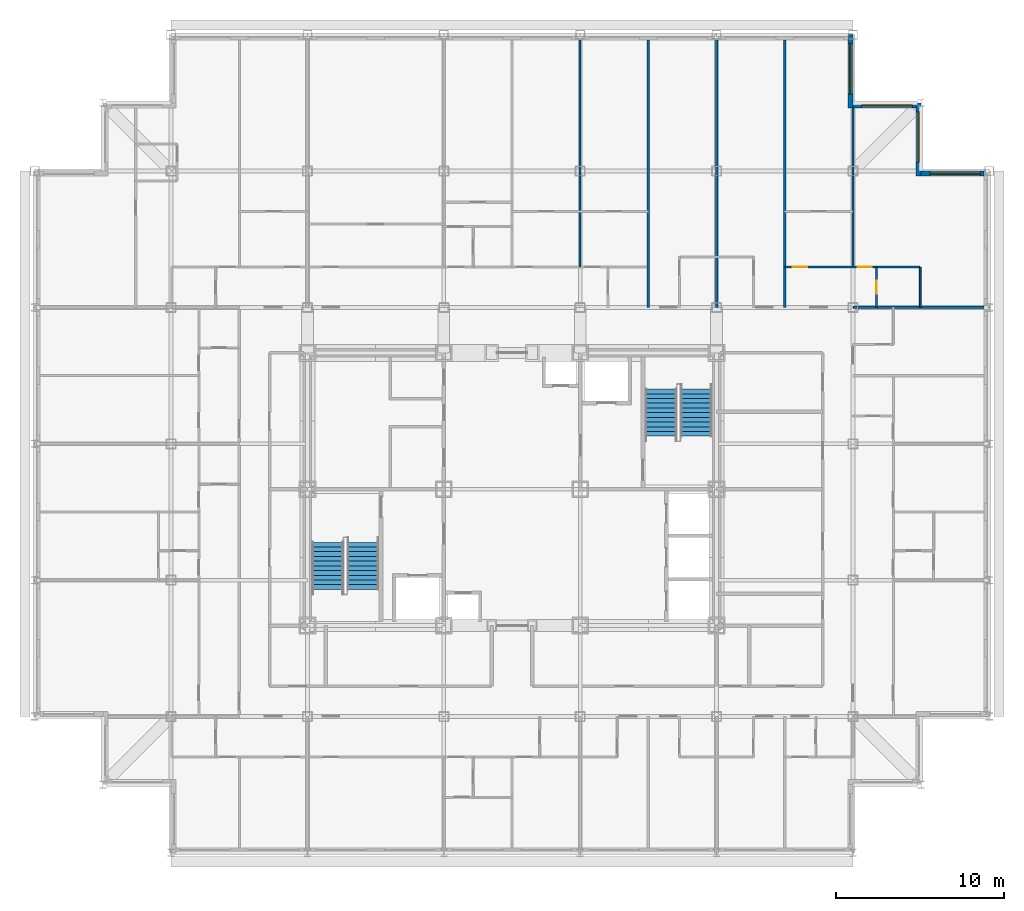
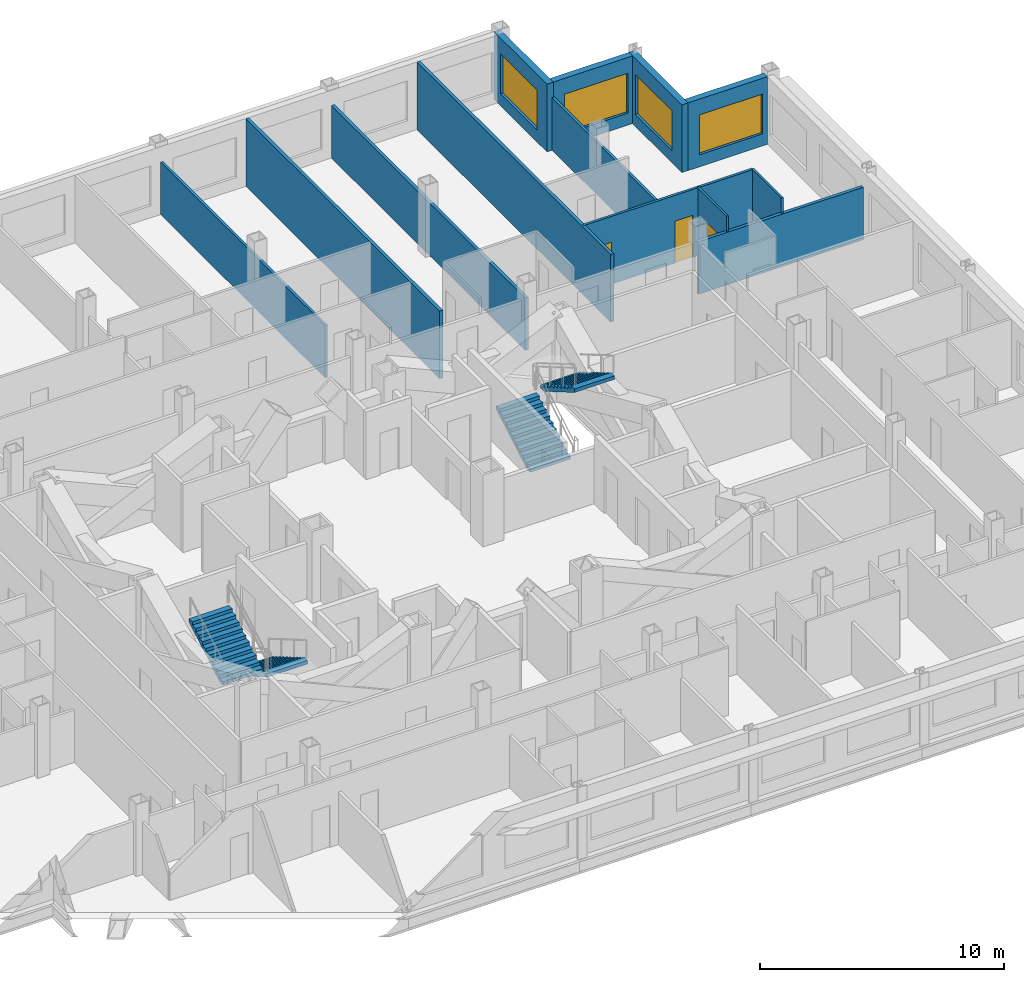
# One storey, part 11 of 12: 13 walls, 4 stair flights, 4 windows, 3 doors, 7 openings, 2 elements without a shape of their own.
"""IFC4 building model written with IfcOpenShell, lengths in metres."""

from ifc_helpers import new_model, si_unit, direction, frame, frame_2d, origin, place, context, subcontext, project, spatial, rectangle, extrude, polygons, source, transform, mapped, material, layer, layer_set, type_object, element, fill, aggregate, save


model = new_model("IFC4")

# Units and contexts
model_context = context("Model", 3, precision=1e-05, world=origin(), true_north=direction((0.0, 1.0)))
body_context = subcontext(model_context, "Body", "Model", "MODEL_VIEW")
ifc_project = project(units=[si_unit("LENGTHUNIT", "METRE"), si_unit("AREAUNIT", "SQUARE_METRE"), si_unit("VOLUMEUNIT", "CUBIC_METRE"), si_unit("PLANEANGLEUNIT", "RADIAN"), si_unit("MASSUNIT", "GRAM", prefix="KILO")], contexts=[model_context])

# Site, building, storey
site_placement = place(None, origin())
site = spatial("IfcSite", under=ifc_project, at=site_placement, CompositionType="ELEMENT")
building_placement = place(site_placement, origin())
building = spatial("IfcBuilding", under=site, at=building_placement, Name="Kopane Lantern Tower", CompositionType="ELEMENT")
storey_placement = place(building_placement, frame((0.0, 0.0, 220.800048828125)))
storey = spatial("IfcBuildingStorey", under=building, at=storey_placement, Name="L57", CompositionType="ELEMENT", Elevation=220.800048828125)

# Wall
ifc_material_1 = material(Name="Gypsum board on steel studs", Category="steel")
ifc_layer_1 = layer(ifc_material_1, 0.1201171875)
ifc_layer_set_1 = layer_set([ifc_layer_1], Name="APARTMENT INTERNAL WALL 120")
wall_type_1 = type_object("IfcWallType", Name="APARTMENT INTERNAL WALL 120", PredefinedType="PARTITIONING", material=ifc_layer_set_1)
wall_1_placement = place(storey_placement, frame((32.39990234375, 45.60009765625, 0.0), z_axis=(0.0, 0.0, 1.0), x_axis=(0.0, 1.0, 0.0)))
element("IfcWall", 1, at=wall_1_placement, inside=storey, type_object=wall_type_1, Name="Apartment Internal Wall 120 L57", PredefinedType="PARTITIONING", context=body_context, shape_type="SweptSolid", body=[
    extrude(rectangle(XDim=13.5, YDim=0.1201171875, at=frame_2d((6.75, 0.0))), origin(), (0.0, 0.0, 1.0), 2.627685546875),
])

# Wall, openings, doors
wall_2_placement = place(storey_placement, frame((44.550048828125, 45.60009765625, 0.0), z_axis=(0.0, 0.0, 1.0), x_axis=(1.0, 0.0, 0.0)))
wall_2 = element("IfcWall", 2, at=wall_2_placement, inside=storey, type_object=wall_type_1, Name="Apartment Internal Wall 120 L57", PredefinedType="PARTITIONING", context=body_context, shape_type="SweptSolid", body=[
    extrude(rectangle(XDim=8.050048828125, YDim=0.1201171875, at=frame_2d((4.02490234375, 0.0))), origin(), (0.0, 0.0, 1.0), 3.389892578125),
])
opening_1_placement = place(wall_2_placement, frame((0.47509765625, 0.0, 0.0)))
opening_1 = element("IfcOpeningElement", 3, at=opening_1_placement, cuts=wall_2, Name="Opening L57-062", PredefinedType="OPENING", context=body_context, shape_type="SweptSolid", body=[
    extrude(rectangle(XDim=0.85009765625, YDim=2.10009765625, at=frame_2d((0.425048828125, 1.050048828125))), frame((0.0, 0.070068359375, 0.0), z_axis=(0.0, -1.0, 0.0), x_axis=(1.0, 0.0, 0.0)), (0.0, 0.0, 1.0), 0.14013671875),
])
opening_2_placement = place(wall_2_placement, frame((4.324951171875, 0.0, 0.0)))
opening_2 = element("IfcOpeningElement", 4, at=opening_2_placement, cuts=wall_2, Name="Opening L57-064", PredefinedType="OPENING", context=body_context, shape_type="SweptSolid", body=[
    extrude(rectangle(XDim=0.85009765625, YDim=2.10009765625, at=frame_2d((0.425048828125, 1.050048828125))), frame((0.0, 0.070068359375, 0.0), z_axis=(0.0, -1.0, 0.0), x_axis=(1.0, 0.0, 0.0)), (0.0, 0.0, 1.0), 0.14013671875),
])
ifc_material_2 = material(Name="Timber door set", Category="wood")
door_type_1 = type_object("IfcDoorType", Name="DOOR D4 850x2100", OperationType="SINGLE_SWING_LEFT", PredefinedType="DOOR", material=ifc_material_2)
door_1_placement = place(opening_1_placement, origin())
door_1 = element("IfcDoor", 5, at=door_1_placement, inside=storey, type_object=door_type_1, Name="Door L57-062", OperationType="SINGLE_SWING_RIGHT", OverallHeight=2.10009765625, OverallWidth=0.85009765625, PredefinedType="DOOR", context=body_context, shape_type="SweptSolid", body=[
    extrude(rectangle(XDim=0.85009765625, YDim=2.10009765625, at=frame_2d((0.425048828125, 1.050048828125))), frame((0.0, 0.02490234375, 0.0), z_axis=(0.0, -1.0, 0.0), x_axis=(1.0, 0.0, 0.0)), (0.0, 0.0, 1.0), 0.050048828125),
])
fill(opening_1, door_1)
door_2_placement = place(opening_2_placement, origin())
door_2 = element("IfcDoor", 6, at=door_2_placement, inside=storey, type_object=door_type_1, Name="Door L57-064", OperationType="SINGLE_SWING_LEFT", OverallHeight=2.10009765625, OverallWidth=0.85009765625, PredefinedType="DOOR", context=body_context, shape_type="SweptSolid", body=[
    extrude(rectangle(XDim=0.85009765625, YDim=2.10009765625, at=frame_2d((0.425048828125, 1.050048828125))), frame((0.0, 0.02490234375, 0.0), z_axis=(0.0, -1.0, 0.0), x_axis=(1.0, 0.0, 0.0)), (0.0, 0.0, 1.0), 0.050048828125),
])
fill(opening_2, door_2)

# Wall
wall_3_placement = place(storey_placement, frame((48.60009765625, 45.60009765625, 0.0), z_axis=(0.0, 0.0, 1.0), x_axis=(0.0, 1.0, 0.0)))
element("IfcWall", 7, at=wall_3_placement, inside=storey, type_object=wall_type_1, Name="Apartment Internal Wall 120 L57", PredefinedType="PARTITIONING", context=body_context, shape_type="SweptSolid", body=[
    extrude(rectangle(XDim=9.449951171875, YDim=0.1201171875, at=frame_2d((4.72509765625, 0.0))), origin(), (0.0, 0.0, 1.0), 2.627685546875),
])

# Wall, opening, door
ifc_material_3 = material(Name="Moisture-resistant board on steel studs", Category="steel")
ifc_layer_2 = layer(ifc_material_3, 0.10009765625)
ifc_layer_set_2 = layer_set([ifc_layer_2], Name="BATHROOM WALL 100")
wall_type_2 = type_object("IfcWallType", Name="BATHROOM WALL 100", PredefinedType="PARTITIONING", material=ifc_layer_set_2)
wall_4_placement = place(storey_placement, frame((50.0, 43.199951171875, 0.0), z_axis=(0.0, 0.0, 1.0), x_axis=(0.0, 1.0, 0.0)))
wall_4 = element("IfcWall", 8, at=wall_4_placement, inside=storey, type_object=wall_type_2, Name="Bathroom Wall 100 L57", PredefinedType="PARTITIONING", context=body_context, shape_type="SweptSolid", body=[
    extrude(rectangle(XDim=2.400146484375, YDim=0.10009765625, at=frame_2d((1.2001953125, 0.0))), origin(), (0.0, 0.0, 1.0), 3.389892578125),
])
opening_3_placement = place(wall_4_placement, frame((0.800048828125, 0.0, 0.0)))
opening_3 = element("IfcOpeningElement", 9, at=opening_3_placement, cuts=wall_4, Name="Opening L57-063", PredefinedType="OPENING", context=body_context, shape_type="SweptSolid", body=[
    extrude(rectangle(XDim=0.800048828125, YDim=2.10009765625, at=frame_2d((0.39990234375, 1.050048828125))), frame((0.0, 0.06005859375, 0.0), z_axis=(0.0, -1.0, 0.0), x_axis=(1.0, 0.0, 0.0)), (0.0, 0.0, 1.0), 0.1201171875),
])
ifc_material_4 = material(Name="Timber door set", Category="wood")
door_type_2 = type_object("IfcDoorType", Name="DOOR D2 800x2100", OperationType="SINGLE_SWING_LEFT", PredefinedType="DOOR", material=ifc_material_4)
door_3_placement = place(opening_3_placement, origin())
door_3 = element("IfcDoor", 10, at=door_3_placement, inside=storey, type_object=door_type_2, Name="Door L57-063", OperationType="SINGLE_SWING_RIGHT", OverallHeight=2.10009765625, OverallWidth=0.800048828125, PredefinedType="DOOR", context=body_context, shape_type="SweptSolid", body=[
    extrude(rectangle(XDim=0.800048828125, YDim=2.10009765625, at=frame_2d((0.39990234375, 1.050048828125))), frame((0.0, 0.02490234375, 0.0), z_axis=(0.0, -1.0, 0.0), x_axis=(1.0, 0.0, 0.0)), (0.0, 0.0, 1.0), 0.050048828125),
])
fill(opening_3, door_3)

# Walls
wall_5_placement = place(storey_placement, frame((52.60009765625, 43.199951171875, 0.0), z_axis=(0.0, 0.0, 1.0), x_axis=(0.0, 1.0, 0.0)))
element("IfcWall", 11, at=wall_5_placement, inside=storey, type_object=wall_type_2, Name="Bathroom Wall 100 L57", PredefinedType="PARTITIONING", context=body_context, shape_type="SweptSolid", body=[
    extrude(rectangle(XDim=2.400146484375, YDim=0.10009765625, at=frame_2d((1.2001953125, 0.0))), origin(), (0.0, 0.0, 1.0), 3.389892578125),
])
ifc_material_5 = material(Name="Gypsum board on steel studs", Category="steel")
ifc_layer_3 = layer(ifc_material_5, 0.14990234375)
ifc_layer_set_3 = layer_set([ifc_layer_3], Name="DEMISING WALL 150 EI 60")
wall_type_3 = type_object("IfcWallType", Name="DEMISING WALL 150 EI 60", PredefinedType="PARTITIONING", material=ifc_layer_set_3)
wall_6_placement = place(storey_placement, frame((36.449951171875, 43.199951171875, 0.0), z_axis=(0.0, 0.0, 1.0), x_axis=(0.0, 1.0, 0.0)))
element("IfcWall", 12, at=wall_6_placement, inside=storey, type_object=wall_type_3, Name="Demising Wall 150 Ei 60 L57", PredefinedType="PARTITIONING", context=body_context, shape_type="SweptSolid", body=[
    extrude(rectangle(XDim=15.900146484375, YDim=0.14990234375, at=frame_2d((7.9501953125, 0.0))), origin(), (0.0, 0.0, 1.0), 3.389892578125),
])
wall_7_placement = place(storey_placement, frame((40.5, 43.199951171875, 0.0), z_axis=(0.0, 0.0, 1.0), x_axis=(0.0, 1.0, 0.0)))
element("IfcWall", 13, at=wall_7_placement, inside=storey, type_object=wall_type_3, Name="Demising Wall 150 Ei 60 L57", PredefinedType="PARTITIONING", context=body_context, shape_type="SweptSolid", body=[
    extrude(rectangle(XDim=15.900146484375, YDim=0.14990234375, at=frame_2d((7.9501953125, 0.0))), origin(), (0.0, 0.0, 1.0), 2.627685546875),
])
wall_8_placement = place(storey_placement, frame((48.60009765625, 43.199951171875, 0.0), z_axis=(0.0, 0.0, 1.0), x_axis=(1.0, 0.0, 0.0)))
element("IfcWall", 14, at=wall_8_placement, inside=storey, type_object=wall_type_3, Name="Demising Wall 150 Ei 60 L57", PredefinedType="PARTITIONING", context=body_context, shape_type="SweptSolid", body=[
    extrude(rectangle(XDim=7.7998046875, YDim=0.14990234375, at=frame_2d((3.89990234375, 0.0))), origin(), (0.0, 0.0, 1.0), 2.627685546875),
])
wall_9_placement = place(storey_placement, frame((44.550048828125, 43.199951171875, 0.0), z_axis=(0.0, 0.0, 1.0), x_axis=(0.0, 1.0, 0.0)))
element("IfcWall", 15, at=wall_9_placement, inside=storey, type_object=wall_type_3, Name="Demising Wall 150 Ei 60 L57", PredefinedType="PARTITIONING", context=body_context, shape_type="SweptSolid", body=[
    extrude(rectangle(XDim=15.900146484375, YDim=0.14990234375, at=frame_2d((7.9501953125, 0.0))), origin(), (0.0, 0.0, 1.0), 3.389892578125),
])

# Wall, opening, window
ifc_material_6 = material(Name="Terracotta rainscreen on light steel framing", Category="masonry")
ifc_layer_4 = layer(ifc_material_6, 0.300048828125)
ifc_layer_set_4 = layer_set([ifc_layer_4], Name="EXTERNAL WALL EW1 300 TERRACOTTA")
wall_type_4 = type_object("IfcWallType", Name="EXTERNAL WALL EW1 300 TERRACOTTA", PredefinedType="SOLIDWALL", material=ifc_layer_set_4)
wall_10_placement = place(storey_placement, frame((56.39990234375, 51.14990234375, 0.0), z_axis=(0.0, 0.0, 1.0), x_axis=(-1.0, 0.0, 0.0)))
wall_10 = element("IfcWall", 16, at=wall_10_placement, inside=storey, type_object=wall_type_4, Name="External wall N L57", PredefinedType="SOLIDWALL", context=body_context, shape_type="SweptSolid", body=[
    extrude(rectangle(XDim=3.75, YDim=0.300048828125, at=frame_2d((1.875, 0.0))), origin(), (0.0, 0.0, 1.0), 3.389892578125),
])
opening_4_placement = place(wall_10_placement, frame((0.22509765625, 0.0, 0.60009765625)))
opening_4 = element("IfcOpeningElement", 17, at=opening_4_placement, cuts=wall_10, Name="Opening WR300200", PredefinedType="OPENING", context=body_context, shape_type="SweptSolid", body=[
    extrude(rectangle(XDim=3.0, YDim=2.0, at=frame_2d((1.5, 1.0))), frame((0.0, 0.159912109375, 0.0), z_axis=(0.0, -1.0, 0.0), x_axis=(1.0, 0.0, 0.0)), (0.0, 0.0, 1.0), 0.320068359375),
])
ifc_material_7 = material(Name="Aluminium and clear glass", Category="aluminium")
window_type = type_object("IfcWindowType", Name="RIBBON WINDOW WR300200 3000x2000", PartitioningType="SINGLE_PANEL", PredefinedType="WINDOW", material=ifc_material_7)
window_1_placement = place(opening_4_placement, origin())
window_1 = element("IfcWindow", 18, at=window_1_placement, inside=storey, type_object=window_type, Name="Window N L57", OverallHeight=2.0, OverallWidth=3.0, PartitioningType="SINGLE_PANEL", PredefinedType="WINDOW", context=body_context, shape_type="SweptSolid", body=[
    extrude(rectangle(XDim=3.0, YDim=2.0, at=frame_2d((1.5, 1.0))), frame((0.0, 0.030029296875, 0.0), z_axis=(0.0, -1.0, 0.0), x_axis=(1.0, 0.0, 0.0)), (0.0, 0.0, 1.0), 0.06005859375),
])
fill(opening_4, window_1)

wall_11_placement = place(storey_placement, frame((52.5, 51.0, 0.0), z_axis=(0.0, 0.0, 1.0), x_axis=(0.0, 1.0, 0.0)))
wall_11 = element("IfcWall", 19, at=wall_11_placement, inside=storey, type_object=wall_type_4, Name="External wall E L57", PredefinedType="SOLIDWALL", context=body_context, shape_type="SweptSolid", body=[
    extrude(rectangle(XDim=4.35009765625, YDim=0.300048828125, at=frame_2d((2.175048828125, 0.0))), origin(), (0.0, 0.0, 1.0), 3.389892578125),
])
opening_5_placement = place(wall_11_placement, frame((0.824951171875, 0.0, 0.60009765625)))
opening_5 = element("IfcOpeningElement", 20, at=opening_5_placement, cuts=wall_11, Name="Opening WR300200", PredefinedType="OPENING", context=body_context, shape_type="SweptSolid", body=[
    extrude(rectangle(XDim=3.0, YDim=2.0, at=frame_2d((1.5, 1.0))), frame((0.0, 0.159912109375, 0.0), z_axis=(0.0, -1.0, 0.0), x_axis=(1.0, 0.0, 0.0)), (0.0, 0.0, 1.0), 0.320068359375),
])
window_2_placement = place(opening_5_placement, origin())
window_2 = element("IfcWindow", 21, at=window_2_placement, inside=storey, type_object=window_type, Name="Window E L57", OverallHeight=2.0, OverallWidth=3.0, PartitioningType="SINGLE_PANEL", PredefinedType="WINDOW", context=body_context, shape_type="SweptSolid", body=[
    extrude(rectangle(XDim=3.0, YDim=2.0, at=frame_2d((1.5, 1.0))), frame((0.0, 0.030029296875, 0.0), z_axis=(0.0, -1.0, 0.0), x_axis=(1.0, 0.0, 0.0)), (0.0, 0.0, 1.0), 0.06005859375),
])
fill(opening_5, window_2)

wall_12_placement = place(storey_placement, frame((52.35009765625, 55.199951171875, 0.0), z_axis=(0.0, 0.0, 1.0), x_axis=(-1.0, 0.0, 0.0)))
wall_12 = element("IfcWall", 22, at=wall_12_placement, inside=storey, type_object=wall_type_4, Name="External wall N L57", PredefinedType="SOLIDWALL", context=body_context, shape_type="SweptSolid", body=[
    extrude(rectangle(XDim=3.75, YDim=0.300048828125, at=frame_2d((1.875, 0.0))), origin(), (0.0, 0.0, 1.0), 3.389892578125),
])
opening_6_placement = place(wall_12_placement, frame((0.22509765625, 0.0, 0.60009765625)))
opening_6 = element("IfcOpeningElement", 23, at=opening_6_placement, cuts=wall_12, Name="Opening WR300200", PredefinedType="OPENING", context=body_context, shape_type="SweptSolid", body=[
    extrude(rectangle(XDim=3.0, YDim=2.0, at=frame_2d((1.5, 1.0))), frame((0.0, 0.159912109375, 0.0), z_axis=(0.0, -1.0, 0.0), x_axis=(1.0, 0.0, 0.0)), (0.0, 0.0, 1.0), 0.320068359375),
])
window_3_placement = place(opening_6_placement, origin())
window_3 = element("IfcWindow", 24, at=window_3_placement, inside=storey, type_object=window_type, Name="Window N L57", OverallHeight=2.0, OverallWidth=3.0, PartitioningType="SINGLE_PANEL", PredefinedType="WINDOW", context=body_context, shape_type="SweptSolid", body=[
    extrude(rectangle(XDim=3.0, YDim=2.0, at=frame_2d((1.5, 1.0))), frame((0.0, 0.030029296875, 0.0), z_axis=(0.0, -1.0, 0.0), x_axis=(1.0, 0.0, 0.0)), (0.0, 0.0, 1.0), 0.06005859375),
])
fill(opening_6, window_3)

wall_13_placement = place(storey_placement, frame((48.449951171875, 55.050048828125, 0.0), z_axis=(0.0, 0.0, 1.0), x_axis=(0.0, 1.0, 0.0)))
wall_13 = element("IfcWall", 25, at=wall_13_placement, inside=storey, type_object=wall_type_4, Name="External wall E L57", PredefinedType="SOLIDWALL", context=body_context, shape_type="SweptSolid", body=[
    extrude(rectangle(XDim=4.349853515625, YDim=0.300048828125, at=frame_2d((2.1748046875, 0.0))), origin(), (0.0, 0.0, 1.0), 3.389892578125),
])
opening_7_placement = place(wall_13_placement, frame((0.824951171875, 0.0, 0.60009765625)))
opening_7 = element("IfcOpeningElement", 26, at=opening_7_placement, cuts=wall_13, Name="Opening WR300200", PredefinedType="OPENING", context=body_context, shape_type="SweptSolid", body=[
    extrude(rectangle(XDim=3.0, YDim=2.0, at=frame_2d((1.5, 1.0))), frame((0.0, 0.159912109375, 0.0), z_axis=(0.0, -1.0, 0.0), x_axis=(1.0, 0.0, 0.0)), (0.0, 0.0, 1.0), 0.320068359375),
])
window_4_placement = place(opening_7_placement, origin())
window_4 = element("IfcWindow", 27, at=window_4_placement, inside=storey, type_object=window_type, Name="Window E L57", OverallHeight=2.0, OverallWidth=3.0, PartitioningType="SINGLE_PANEL", PredefinedType="WINDOW", context=body_context, shape_type="SweptSolid", body=[
    extrude(rectangle(XDim=3.0, YDim=2.0, at=frame_2d((1.5, 1.0))), frame((0.0, 0.030029296875, 0.0), z_axis=(0.0, -1.0, 0.0), x_axis=(1.0, 0.0, 0.0)), (0.0, 0.0, 1.0), 0.06005859375),
])
fill(opening_7, window_4)

# Stair, stair flights
ifc_material_8 = material(Name="Steel S355JR", Category="steel")
stair_type = type_object("IfcStairType", Name="EXIT STAIR 1900 HALF TURN", PredefinedType="HALF_TURN_STAIR", material=ifc_material_8)
stair_1_placement = place(storey_placement, origin())
stair_1 = element("IfcStair", 28, at=stair_1_placement, inside=storey, type_object=stair_type, Name="Exit stair ST1 L57", PredefinedType="HALF_TURN_STAIR")
ifc_material_9 = material(Name="Steel S355JR", Category="steel")
stair_flight_type = type_object("IfcStairFlightType", Name="STAIR FLIGHT 1900 STEEL", PredefinedType="STRAIGHT", material=ifc_material_9)
shared_shape = source(origin(), body_context, "Body", "Tessellation", [
    polygons([(2.800048828, 0.949951172, 1.636474609), (2.520019531, 0.949951172, 1.636474609), (2.520019531, -0.949951172, 1.636474609), (2.800048828, -0.949951172, 1.636474609), (0.297119141, 0.949951172, 0.0), (2.800048828, 0.949951172, 1.462646484), (2.800048828, -0.949951172, 1.462646484), (0.297119141, -0.949951172, 0.0), (0.0, 0.949951172, 0.0), (0.0, -0.949951172, 0.0), (0.280029297, 0.949951172, 0.163574219), (0.0, 0.949951172, 0.163574219), (0.0, -0.949951172, 0.163574219), (0.280029297, -0.949951172, 0.163574219), (0.280029297, 0.949951172, 0.327392578), (0.280029297, -0.949951172, 0.327392578), (0.560058594, 0.949951172, 0.327392578), (0.560058594, -0.949951172, 0.327392578), (0.560058594, 0.949951172, 0.490966797), (0.560058594, -0.949951172, 0.490966797), (0.840087891, 0.949951172, 0.490966797), (0.840087891, -0.949951172, 0.490966797), (0.840087891, 0.949951172, 0.654541016), (0.840087891, -0.949951172, 0.654541016), (1.120117188, 0.949951172, 0.654541016), (1.120117188, -0.949951172, 0.654541016), (1.120117188, 0.949951172, 0.818115234), (1.120117188, -0.949951172, 0.818115234), (1.399902344, 0.949951172, 0.818115234), (1.399902344, -0.949951172, 0.818115234), (1.399902344, 0.949951172, 0.981933594), (1.399902344, -0.949951172, 0.981933594), (1.679931641, 0.949951172, 0.981933594), (1.679931641, -0.949951172, 0.981933594), (1.679931641, 0.949951172, 1.145507812), (1.679931641, -0.949951172, 1.145507812), (1.959960938, 0.949951172, 1.145507812), (1.959960938, -0.949951172, 1.145507812), (1.959960938, 0.949951172, 1.309082031), (1.959960938, -0.949951172, 1.309082031), (2.239990234, 0.949951172, 1.309082031), (2.239990234, -0.949951172, 1.309082031), (2.239990234, 0.949951172, 1.47265625), (2.239990234, -0.949951172, 1.47265625), (2.520019531, 0.949951172, 1.47265625), (2.520019531, -0.949951172, 1.47265625), (0.0, 0.0, 0.004420925), (0.0, 0.0, 0.00884185), (0.0, 0.0, 0.013262774), (0.0, 0.0, 0.017683699), (0.0, 0.0, 0.022104624), (0.0, 0.0, 0.026525549), (0.0, 0.0, 0.030946474), (0.0, 0.0, 0.035367399), (0.0, 0.0, 0.039788323), (0.0, 0.0, 0.044209248), (0.0, 0.0, 0.048630173), (0.0, 0.0, 0.053051098), (0.0, 0.0, 0.057472023), (0.0, 0.0, 0.061892948), (0.0, 0.0, 0.066313872), (0.0, 0.0, 0.070734797), (0.0, 0.0, 0.075155722), (0.0, 0.0, 0.079576647), (0.0, 0.0, 0.083997572), (0.0, 0.0, 0.088418497), (0.0, 0.0, 0.092839421), (0.0, 0.0, 0.097260346), (0.0, 0.0, 0.101681271), (0.0, 0.0, 0.106102196), (0.0, 0.0, 0.110523121), (0.0, 0.0, 0.114944046), (0.0, 0.0, 0.11936497), (0.0, 0.0, 0.123785895), (0.0, 0.0, 0.12820682), (0.0, 0.0, 0.132627745), (0.0, 0.0, 0.13704867), (0.0, 0.0, 0.141469595), (0.0, 0.0, 0.145890519), (0.0, 0.0, 0.150311444), (0.0, 0.0, 0.154732369), (0.0, 0.0, 0.159153294), (2.800048828, 0.0, 1.467344542), (2.800048828, 0.0, 1.472042599), (2.800048828, 0.0, 1.476740657), (2.800048828, 0.0, 1.481438714), (2.800048828, 0.0, 1.486136772), (2.800048828, 0.0, 1.490834829), (2.800048828, 0.0, 1.495532886), (2.800048828, 0.0, 1.500230944), (2.800048828, 0.0, 1.504929001), (2.800048828, 0.0, 1.509627059), (2.800048828, 0.0, 1.514325116), (2.800048828, 0.0, 1.519023174), (2.800048828, 0.0, 1.523721231), (2.800048828, 0.0, 1.528419288), (2.800048828, 0.0, 1.533117346), (2.800048828, 0.0, 1.537815403), (2.800048828, 0.0, 1.542513461), (2.800048828, 0.0, 1.547211518), (2.800048828, 0.0, 1.551909576), (2.800048828, 0.0, 1.556607633), (2.800048828, 0.0, 1.56130569), (2.800048828, 0.0, 1.566003748), (2.800048828, 0.0, 1.570701805), (2.800048828, 0.0, 1.575399863), (2.800048828, 0.0, 1.58009792), (2.800048828, 0.0, 1.584795978), (2.800048828, 0.0, 1.589494035), (2.800048828, 0.0, 1.594192092), (2.800048828, 0.0, 1.59889015), (2.800048828, 0.0, 1.603588207), (2.800048828, 0.0, 1.608286265), (2.800048828, 0.0, 1.612984322), (2.800048828, 0.0, 1.61768238), (2.800048828, 0.0, 1.622380437), (2.800048828, 0.0, 1.627078495), (2.800048828, 0.0, 1.631776552)], [[[1, 2, 3]], [[1, 3, 4]], [[5, 6, 7]], [[5, 7, 8]], [[9, 5, 8]], [[9, 8, 10]], [[11, 12, 13]], [[11, 13, 14]], [[15, 11, 14]], [[15, 14, 16]], [[17, 15, 16]], [[17, 16, 18]], [[19, 17, 18]], [[19, 18, 20]], [[21, 19, 20]], [[21, 20, 22]], [[23, 21, 22]], [[23, 22, 24]], [[25, 23, 24]], [[25, 24, 26]], [[27, 25, 26]], [[27, 26, 28]], [[29, 27, 28]], [[29, 28, 30]], [[31, 29, 30]], [[31, 30, 32]], [[33, 31, 32]], [[33, 32, 34]], [[35, 33, 34]], [[35, 34, 36]], [[37, 35, 36]], [[37, 36, 38]], [[39, 37, 38]], [[39, 38, 40]], [[41, 39, 40]], [[41, 40, 42]], [[43, 41, 42]], [[43, 42, 44]], [[45, 43, 44]], [[45, 44, 46]], [[2, 45, 46]], [[2, 46, 3]], [[45, 1, 6]], [[41, 45, 6]], [[2, 1, 45]], [[37, 41, 6]], [[43, 45, 41]], [[39, 41, 37]], [[35, 37, 33]], [[31, 33, 29]], [[27, 29, 25]], [[5, 21, 25]], [[17, 21, 5]], [[23, 25, 21]], [[11, 17, 5]], [[19, 21, 17]], [[9, 11, 5]], [[15, 17, 11]], [[12, 11, 9]], [[6, 5, 25]], [[6, 25, 29]], [[6, 29, 33]], [[6, 33, 37]], [[7, 4, 46]], [[7, 46, 42]], [[46, 4, 3]], [[7, 42, 38]], [[42, 46, 44]], [[38, 42, 40]], [[34, 38, 36]], [[30, 34, 32]], [[26, 30, 28]], [[26, 22, 8]], [[8, 22, 18]], [[22, 26, 24]], [[8, 18, 14]], [[18, 22, 20]], [[8, 14, 10]], [[14, 18, 16]], [[10, 14, 13]], [[26, 8, 7]], [[30, 26, 7]], [[34, 30, 7]], [[38, 34, 7]], [[10, 47, 9]], [[10, 48, 47]], [[9, 47, 48]], [[10, 49, 48]], [[9, 48, 49]], [[10, 50, 49]], [[9, 49, 50]], [[10, 51, 50]], [[9, 50, 51]], [[10, 52, 51]], [[9, 51, 52]], [[10, 53, 52]], [[9, 52, 53]], [[10, 54, 53]], [[9, 53, 54]], [[10, 55, 54]], [[9, 54, 55]], [[10, 56, 55]], [[9, 55, 56]], [[10, 57, 56]], [[9, 56, 57]], [[10, 58, 57]], [[9, 57, 58]], [[10, 59, 58]], [[9, 58, 59]], [[10, 60, 59]], [[9, 59, 60]], [[10, 61, 60]], [[9, 60, 61]], [[10, 62, 61]], [[9, 61, 62]], [[10, 63, 62]], [[9, 62, 63]], [[10, 64, 63]], [[9, 63, 64]], [[10, 65, 64]], [[9, 64, 65]], [[10, 66, 65]], [[9, 65, 66]], [[10, 67, 66]], [[9, 66, 67]], [[10, 68, 67]], [[9, 67, 68]], [[10, 69, 68]], [[9, 68, 69]], [[10, 70, 69]], [[9, 69, 70]], [[10, 71, 70]], [[9, 70, 71]], [[10, 72, 71]], [[9, 71, 72]], [[10, 73, 72]], [[9, 72, 73]], [[10, 74, 73]], [[9, 73, 74]], [[10, 75, 74]], [[9, 74, 75]], [[10, 76, 75]], [[9, 75, 76]], [[10, 77, 76]], [[9, 76, 77]], [[10, 78, 77]], [[9, 77, 78]], [[10, 79, 78]], [[9, 78, 79]], [[10, 80, 79]], [[9, 79, 80]], [[10, 81, 80]], [[9, 80, 81]], [[10, 82, 81]], [[9, 81, 82]], [[10, 13, 82]], [[82, 13, 12]], [[9, 82, 12]], [[7, 6, 83]], [[7, 83, 84]], [[6, 84, 83]], [[7, 84, 85]], [[6, 85, 84]], [[7, 85, 86]], [[6, 86, 85]], [[7, 86, 87]], [[6, 87, 86]], [[7, 87, 88]], [[6, 88, 87]], [[7, 88, 89]], [[6, 89, 88]], [[7, 89, 90]], [[6, 90, 89]], [[7, 90, 91]], [[6, 91, 90]], [[7, 91, 92]], [[6, 92, 91]], [[7, 92, 93]], [[6, 93, 92]], [[7, 93, 94]], [[6, 94, 93]], [[7, 94, 95]], [[6, 95, 94]], [[7, 95, 96]], [[6, 96, 95]], [[7, 96, 97]], [[6, 97, 96]], [[7, 97, 98]], [[6, 98, 97]], [[7, 98, 99]], [[6, 99, 98]], [[7, 99, 100]], [[6, 100, 99]], [[7, 100, 101]], [[6, 101, 100]], [[7, 101, 102]], [[6, 102, 101]], [[7, 102, 103]], [[6, 103, 102]], [[7, 103, 104]], [[6, 104, 103]], [[7, 104, 105]], [[6, 105, 104]], [[7, 105, 106]], [[6, 106, 105]], [[7, 106, 107]], [[6, 107, 106]], [[7, 107, 108]], [[6, 108, 107]], [[7, 108, 109]], [[6, 109, 108]], [[7, 109, 110]], [[6, 110, 109]], [[7, 110, 111]], [[6, 111, 110]], [[7, 111, 112]], [[6, 112, 111]], [[7, 112, 113]], [[6, 113, 112]], [[7, 113, 114]], [[6, 114, 113]], [[7, 114, 115]], [[6, 115, 114]], [[7, 115, 116]], [[6, 116, 115]], [[7, 116, 117]], [[6, 117, 116]], [[7, 117, 118]], [[6, 118, 117]], [[7, 118, 4]], [[118, 1, 4]], [[6, 1, 118]]], closed=True),
])
stair_flight_1_placement = place(storey_placement, frame((19.5, 29.25, 0.0), z_axis=(0.0, 0.0, 1.0), x_axis=(0.0, -1.0, 0.0)))
stair_flight_1 = element("IfcStairFlight", 29, at=stair_flight_1_placement, type_object=stair_flight_type, Name="ST1 flight 1", NumberOfRisers=11, NumberOfTreads=10, PredefinedType="STRAIGHT", RiserHeight=0.163636364, TreadLength=0.28, context=body_context, shape_type="MappedRepresentation", body=[
    mapped(shared_shape, transform((0.0, 0.0, 0.0))),
])
stair_flight_2_placement = place(storey_placement, frame((17.39990234375, 26.449951171875, 1.800048828125), z_axis=(0.0, 0.0, 1.0), x_axis=(0.0, 1.0, 0.0)))
stair_flight_2 = element("IfcStairFlight", 30, at=stair_flight_2_placement, type_object=stair_flight_type, Name="ST1 flight 2", NumberOfRisers=11, NumberOfTreads=10, PredefinedType="STRAIGHT", RiserHeight=0.163636364, TreadLength=0.28, context=body_context, shape_type="MappedRepresentation", body=[
    mapped(shared_shape, transform((0.0, 0.0, 0.0))),
])
aggregate(stair_1, [stair_flight_1, stair_flight_2])

stair_2_placement = place(storey_placement, origin())
stair_2 = element("IfcStair", 31, at=stair_2_placement, inside=storey, type_object=stair_type, Name="Exit stair ST2 L57", PredefinedType="HALF_TURN_STAIR")
stair_flight_3_placement = place(storey_placement, frame((37.199951171875, 35.550048828125, 0.0), z_axis=(0.0, 0.0, 1.0), x_axis=(0.0, 1.0, 0.0)))
stair_flight_3 = element("IfcStairFlight", 32, at=stair_flight_3_placement, type_object=stair_flight_type, Name="ST2 flight 1", NumberOfRisers=11, NumberOfTreads=10, PredefinedType="STRAIGHT", RiserHeight=0.163636364, TreadLength=0.28, context=body_context, shape_type="MappedRepresentation", body=[
    mapped(shared_shape, transform((0.0, 0.0, 0.0))),
])
stair_flight_4_placement = place(storey_placement, frame((39.300048828125, 38.35009765625, 1.800048828125), z_axis=(0.0, 0.0, 1.0), x_axis=(0.0, -1.0, 0.0)))
stair_flight_4 = element("IfcStairFlight", 33, at=stair_flight_4_placement, type_object=stair_flight_type, Name="ST2 flight 2", NumberOfRisers=11, NumberOfTreads=10, PredefinedType="STRAIGHT", RiserHeight=0.163636364, TreadLength=0.28, context=body_context, shape_type="MappedRepresentation", body=[
    mapped(shared_shape, transform((0.0, 0.0, 0.0))),
])
aggregate(stair_2, [stair_flight_3, stair_flight_4])

save(model, "model.ifc")
